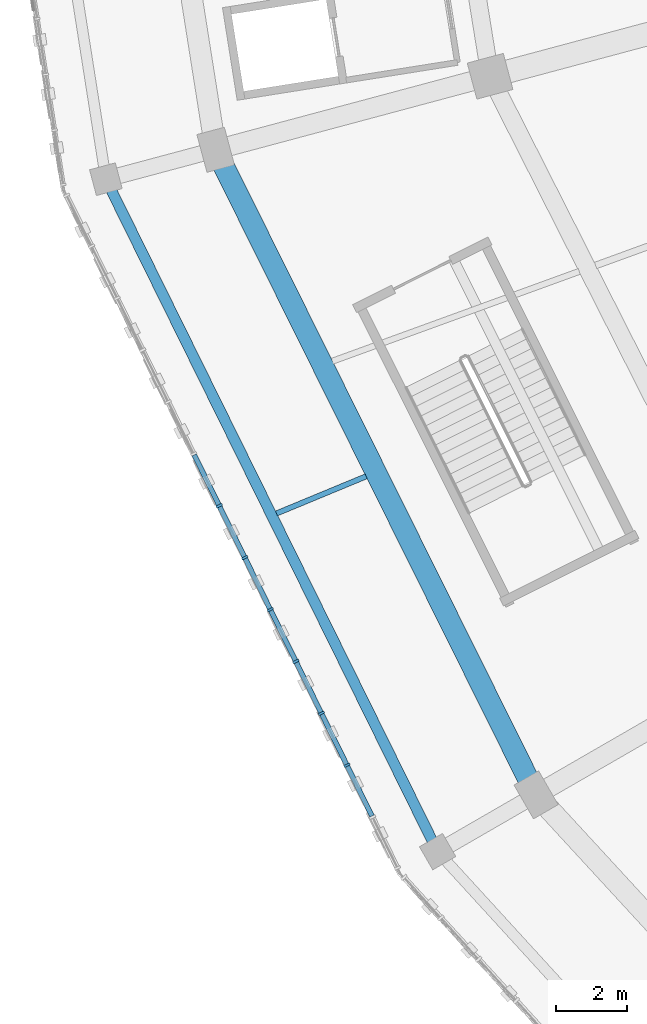
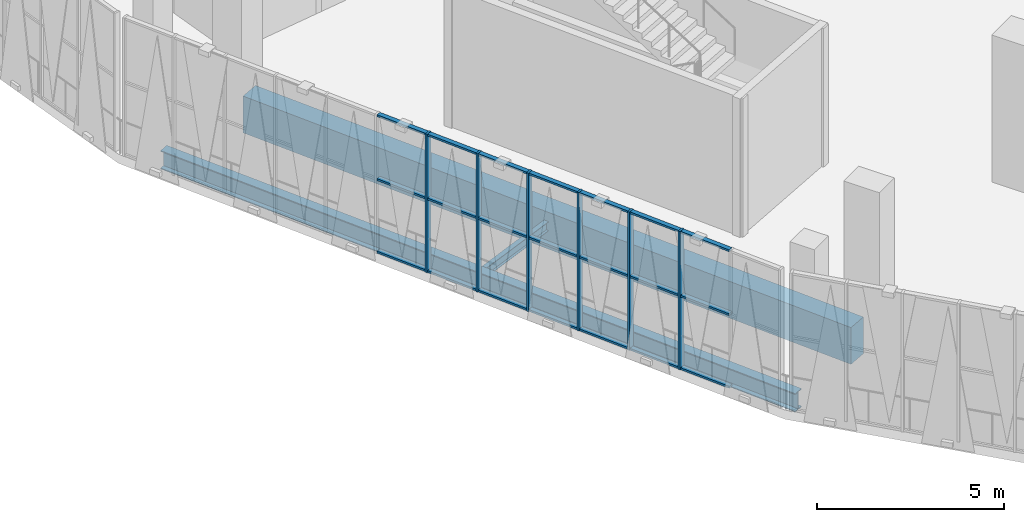
# One storey, part 8 of 183: 27 members, 3 beams, 1 element without a shape of its own.
"""IFC4 building model written with IfcOpenShell, lengths in metres."""

from ifc_helpers import new_model, si_unit, direction, frame, origin, origin_2d, place, context, subcontext, project, spatial, rectangle, i_section, extrude, material, material_profile, profile_set, type_object, element, aggregate, save


model = new_model("IFC4")

# Units and contexts
model_context = context("Model", 3, precision=1e-05, world=origin(), true_north=direction((0.0, 1.0)))
body_context = subcontext(model_context, "Body", "Model", "MODEL_VIEW")
ifc_project = project(units=[si_unit("LENGTHUNIT", "METRE"), si_unit("AREAUNIT", "SQUARE_METRE"), si_unit("VOLUMEUNIT", "CUBIC_METRE"), si_unit("PLANEANGLEUNIT", "RADIAN"), si_unit("MASSUNIT", "GRAM", prefix="KILO")], contexts=[model_context])

# Site, building, storey
site_placement = place(None, origin())
site = spatial("IfcSite", under=ifc_project, at=site_placement, CompositionType="ELEMENT")
building_placement = place(site_placement, origin())
building = spatial("IfcBuilding", under=site, at=building_placement, Name="Zevraka Park Crest Stadium", CompositionType="ELEMENT")
storey_placement = place(building_placement, frame((0.0, 0.0, 5.39990234375)))
storey = spatial("IfcBuildingStorey", under=building, at=storey_placement, Name="L01", CompositionType="ELEMENT", Elevation=5.39990234375)

# Curtain wall, members
ifc_material_1 = material(Name="Anodised architectural aluminium and laminated safety glass", Category="aluminium")
curtain_wall_type = type_object("IfcCurtainWallType", Name="CW02", PredefinedType="NOTDEFINED", material=ifc_material_1)
curtain_wall_placement = place(storey_placement, origin())
curtain_wall = element("IfcCurtainWall", 1, at=curtain_wall_placement, inside=storey, type_object=curtain_wall_type, Name="Unitised Ring Curtain Wall CW02 L01-13", PredefinedType="NOTDEFINED")
ifc_material_2 = material(Name="Anodised architectural aluminium", Category="aluminium")
ifc_material_profile_1 = material_profile(ifc_material_2, rectangle(XDim=0.179931640625, YDim=0.06494140625, at=origin_2d()), Name="ALU MULLION 180x65")
ifc_profile_set_1 = profile_set([ifc_material_profile_1], Name="Anodised architectural aluminium")
member_type_1 = type_object("IfcMemberType", Name="CM02", PredefinedType="MULLION", material=ifc_profile_set_1)
member_1_placement = place(storey_placement, frame((24.8779296875, 62.489013671875, 0.0), z_axis=(0.0, 0.0, 1.0), x_axis=(0.897252732312, 0.44151730924, 0.0)))
member_1 = element("IfcMember", 2, at=member_1_placement, type_object=member_type_1, Name="CW02 mullion 7", PredefinedType="MULLION", context=body_context, shape_type="SweptSolid", body=[
    extrude(rectangle(XDim=0.179931640625, YDim=0.06494140625, at=origin_2d()), origin(), (0.0, 0.0, 1.0), 4.52001953125),
])
member_2_placement = place(storey_placement, frame((25.596923828125, 61.02783203125, 0.0), z_axis=(0.0, 0.0, 1.0), x_axis=(0.897252732312, 0.44151730924, 0.0)))
member_2 = element("IfcMember", 3, at=member_2_placement, type_object=member_type_1, Name="CW02 mullion 8", PredefinedType="MULLION", context=body_context, shape_type="SweptSolid", body=[
    extrude(rectangle(XDim=0.179931640625, YDim=0.06494140625, at=origin_2d()), origin(), (0.0, 0.0, 1.0), 4.52001953125),
])
member_3_placement = place(storey_placement, frame((26.31591796875, 59.566650390625, 0.0), z_axis=(0.0, 0.0, 1.0), x_axis=(0.897252732312, 0.44151730924, 0.0)))
member_3 = element("IfcMember", 4, at=member_3_placement, type_object=member_type_1, Name="CW02 mullion 9", PredefinedType="MULLION", context=body_context, shape_type="SweptSolid", body=[
    extrude(rectangle(XDim=0.179931640625, YDim=0.06494140625, at=origin_2d()), origin(), (0.0, 0.0, 1.0), 4.52001953125),
])
member_4_placement = place(storey_placement, frame((27.034912109375, 58.105712890625, 0.0), z_axis=(0.0, 0.0, 1.0), x_axis=(0.897252732312, 0.44151730924, 0.0)))
member_4 = element("IfcMember", 5, at=member_4_placement, type_object=member_type_1, Name="CW02 mullion 10", PredefinedType="MULLION", context=body_context, shape_type="SweptSolid", body=[
    extrude(rectangle(XDim=0.179931640625, YDim=0.06494140625, at=origin_2d()), origin(), (0.0, 0.0, 1.0), 4.52001953125),
])
member_5_placement = place(storey_placement, frame((27.75390625, 56.64453125, 0.0), z_axis=(0.0, 0.0, 1.0), x_axis=(0.897252732312, 0.44151730924, 0.0)))
member_5 = element("IfcMember", 6, at=member_5_placement, type_object=member_type_1, Name="CW02 mullion 11", PredefinedType="MULLION", context=body_context, shape_type="SweptSolid", body=[
    extrude(rectangle(XDim=0.179931640625, YDim=0.06494140625, at=origin_2d()), origin(), (0.0, 0.0, 1.0), 4.52001953125),
])
member_6_placement = place(storey_placement, frame((28.472900390625, 55.183349609375, 0.0), z_axis=(0.0, 0.0, 1.0), x_axis=(0.897252732312, 0.44151730924, 0.0)))
member_6 = element("IfcMember", 7, at=member_6_placement, type_object=member_type_1, Name="CW02 mullion 12", PredefinedType="MULLION", context=body_context, shape_type="SweptSolid", body=[
    extrude(rectangle(XDim=0.179931640625, YDim=0.06494140625, at=origin_2d()), origin(), (0.0, 0.0, 1.0), 4.52001953125),
])
ifc_material_3 = material(Name="Anodised architectural aluminium", Category="aluminium")
ifc_material_profile_2 = material_profile(ifc_material_3, rectangle(XDim=0.139892578125, YDim=0.06494140625, at=origin_2d()), Name="ALU TRANSOM 140x65")
ifc_profile_set_2 = profile_set([ifc_material_profile_2], Name="Anodised architectural aluminium")
member_type_2 = type_object("IfcMemberType", Name="CT02", PredefinedType="USERDEFINED", material=ifc_profile_set_2)
member_7_placement = place(storey_placement, frame((24.17333984375, 63.921142578125, 0.03271484375), z_axis=(0.441583474331, -0.897220170971, 0.0), x_axis=(0.897220170971, 0.441583474331, 0.0)))
member_7 = element("IfcMember", 8, at=member_7_placement, type_object=member_type_2, Name="CW02 transom 6.1", ObjectType="TRANSOM", PredefinedType="USERDEFINED", context=body_context, shape_type="SweptSolid", body=[
    extrude(rectangle(XDim=0.139892578125, YDim=0.06494140625, at=origin_2d()), origin(), (0.0, 0.0, 1.0), 1.5634765625),
])
member_8_placement = place(storey_placement, frame((24.17333984375, 63.921142578125, 2.400146484375), z_axis=(0.441583474331, -0.897220170971, 0.0), x_axis=(0.897220170971, 0.441583474331, 0.0)))
member_8 = element("IfcMember", 9, at=member_8_placement, type_object=member_type_2, Name="CW02 transom 6.2", ObjectType="TRANSOM", PredefinedType="USERDEFINED", context=body_context, shape_type="SweptSolid", body=[
    extrude(rectangle(XDim=0.139892578125, YDim=0.06494140625, at=origin_2d()), origin(), (0.0, 0.0, 1.0), 1.5634765625),
])
member_9_placement = place(storey_placement, frame((24.17333984375, 63.921142578125, 4.487548828125), z_axis=(0.441583474331, -0.897220170971, 0.0), x_axis=(0.897220170971, 0.441583474331, 0.0)))
member_9 = element("IfcMember", 10, at=member_9_placement, type_object=member_type_2, Name="CW02 transom 6.3", ObjectType="TRANSOM", PredefinedType="USERDEFINED", context=body_context, shape_type="SweptSolid", body=[
    extrude(rectangle(XDim=0.139892578125, YDim=0.06494140625, at=origin_2d()), origin(), (0.0, 0.0, 1.0), 1.5634765625),
])
member_10_placement = place(storey_placement, frame((24.892333984375, 62.4599609375, 0.03271484375), z_axis=(0.441583474331, -0.897220170971, 0.0), x_axis=(0.897220170971, 0.441583474331, 0.0)))
member_10 = element("IfcMember", 11, at=member_10_placement, type_object=member_type_2, Name="CW02 transom 7.1", ObjectType="TRANSOM", PredefinedType="USERDEFINED", context=body_context, shape_type="SweptSolid", body=[
    extrude(rectangle(XDim=0.139892578125, YDim=0.06494140625, at=origin_2d()), origin(), (0.0, 0.0, 1.0), 1.5634765625),
])
member_11_placement = place(storey_placement, frame((24.892333984375, 62.4599609375, 2.400146484375), z_axis=(0.441583474331, -0.897220170971, 0.0), x_axis=(0.897220170971, 0.441583474331, 0.0)))
member_11 = element("IfcMember", 12, at=member_11_placement, type_object=member_type_2, Name="CW02 transom 7.2", ObjectType="TRANSOM", PredefinedType="USERDEFINED", context=body_context, shape_type="SweptSolid", body=[
    extrude(rectangle(XDim=0.139892578125, YDim=0.06494140625, at=origin_2d()), origin(), (0.0, 0.0, 1.0), 1.5634765625),
])
member_12_placement = place(storey_placement, frame((24.892333984375, 62.4599609375, 4.487548828125), z_axis=(0.441583474331, -0.897220170971, 0.0), x_axis=(0.897220170971, 0.441583474331, 0.0)))
member_12 = element("IfcMember", 13, at=member_12_placement, type_object=member_type_2, Name="CW02 transom 7.3", ObjectType="TRANSOM", PredefinedType="USERDEFINED", context=body_context, shape_type="SweptSolid", body=[
    extrude(rectangle(XDim=0.139892578125, YDim=0.06494140625, at=origin_2d()), origin(), (0.0, 0.0, 1.0), 1.5634765625),
])
member_13_placement = place(storey_placement, frame((25.611328125, 60.998779296875, 0.03271484375), z_axis=(0.441583474331, -0.897220170971, 0.0), x_axis=(0.897220170971, 0.441583474331, 0.0)))
member_13 = element("IfcMember", 14, at=member_13_placement, type_object=member_type_2, Name="CW02 transom 8.1", ObjectType="TRANSOM", PredefinedType="USERDEFINED", context=body_context, shape_type="SweptSolid", body=[
    extrude(rectangle(XDim=0.139892578125, YDim=0.06494140625, at=origin_2d()), origin(), (0.0, 0.0, 1.0), 1.5634765625),
])
member_14_placement = place(storey_placement, frame((25.611328125, 60.998779296875, 2.400146484375), z_axis=(0.441583474331, -0.897220170971, 0.0), x_axis=(0.897220170971, 0.441583474331, 0.0)))
member_14 = element("IfcMember", 15, at=member_14_placement, type_object=member_type_2, Name="CW02 transom 8.2", ObjectType="TRANSOM", PredefinedType="USERDEFINED", context=body_context, shape_type="SweptSolid", body=[
    extrude(rectangle(XDim=0.139892578125, YDim=0.06494140625, at=origin_2d()), origin(), (0.0, 0.0, 1.0), 1.5634765625),
])
member_15_placement = place(storey_placement, frame((25.611328125, 60.998779296875, 4.487548828125), z_axis=(0.441583474331, -0.897220170971, 0.0), x_axis=(0.897220170971, 0.441583474331, 0.0)))
member_15 = element("IfcMember", 16, at=member_15_placement, type_object=member_type_2, Name="CW02 transom 8.3", ObjectType="TRANSOM", PredefinedType="USERDEFINED", context=body_context, shape_type="SweptSolid", body=[
    extrude(rectangle(XDim=0.139892578125, YDim=0.06494140625, at=origin_2d()), origin(), (0.0, 0.0, 1.0), 1.5634765625),
])
member_16_placement = place(storey_placement, frame((26.330322265625, 59.53759765625, 0.03271484375), z_axis=(0.441583474331, -0.897220170971, 0.0), x_axis=(0.897220170971, 0.441583474331, 0.0)))
member_16 = element("IfcMember", 17, at=member_16_placement, type_object=member_type_2, Name="CW02 transom 9.1", ObjectType="TRANSOM", PredefinedType="USERDEFINED", context=body_context, shape_type="SweptSolid", body=[
    extrude(rectangle(XDim=0.139892578125, YDim=0.06494140625, at=origin_2d()), origin(), (0.0, 0.0, 1.0), 1.5634765625),
])
member_17_placement = place(storey_placement, frame((26.330322265625, 59.53759765625, 2.400146484375), z_axis=(0.441583474331, -0.897220170971, 0.0), x_axis=(0.897220170971, 0.441583474331, 0.0)))
member_17 = element("IfcMember", 18, at=member_17_placement, type_object=member_type_2, Name="CW02 transom 9.2", ObjectType="TRANSOM", PredefinedType="USERDEFINED", context=body_context, shape_type="SweptSolid", body=[
    extrude(rectangle(XDim=0.139892578125, YDim=0.06494140625, at=origin_2d()), origin(), (0.0, 0.0, 1.0), 1.5634765625),
])
member_18_placement = place(storey_placement, frame((26.330322265625, 59.53759765625, 4.487548828125), z_axis=(0.441583474331, -0.897220170971, 0.0), x_axis=(0.897220170971, 0.441583474331, 0.0)))
member_18 = element("IfcMember", 19, at=member_18_placement, type_object=member_type_2, Name="CW02 transom 9.3", ObjectType="TRANSOM", PredefinedType="USERDEFINED", context=body_context, shape_type="SweptSolid", body=[
    extrude(rectangle(XDim=0.139892578125, YDim=0.06494140625, at=origin_2d()), origin(), (0.0, 0.0, 1.0), 1.5634765625),
])
member_19_placement = place(storey_placement, frame((27.04931640625, 58.076416015625, 0.03271484375), z_axis=(0.441583474331, -0.897220170971, 0.0), x_axis=(0.897220170971, 0.441583474331, 0.0)))
member_19 = element("IfcMember", 20, at=member_19_placement, type_object=member_type_2, Name="CW02 transom 10.1", ObjectType="TRANSOM", PredefinedType="USERDEFINED", context=body_context, shape_type="SweptSolid", body=[
    extrude(rectangle(XDim=0.139892578125, YDim=0.06494140625, at=origin_2d()), origin(), (0.0, 0.0, 1.0), 1.5634765625),
])
member_20_placement = place(storey_placement, frame((27.04931640625, 58.076416015625, 2.400146484375), z_axis=(0.441583474331, -0.897220170971, 0.0), x_axis=(0.897220170971, 0.441583474331, 0.0)))
member_20 = element("IfcMember", 21, at=member_20_placement, type_object=member_type_2, Name="CW02 transom 10.2", ObjectType="TRANSOM", PredefinedType="USERDEFINED", context=body_context, shape_type="SweptSolid", body=[
    extrude(rectangle(XDim=0.139892578125, YDim=0.06494140625, at=origin_2d()), origin(), (0.0, 0.0, 1.0), 1.5634765625),
])
member_21_placement = place(storey_placement, frame((27.04931640625, 58.076416015625, 4.487548828125), z_axis=(0.441583474331, -0.897220170971, 0.0), x_axis=(0.897220170971, 0.441583474331, 0.0)))
member_21 = element("IfcMember", 22, at=member_21_placement, type_object=member_type_2, Name="CW02 transom 10.3", ObjectType="TRANSOM", PredefinedType="USERDEFINED", context=body_context, shape_type="SweptSolid", body=[
    extrude(rectangle(XDim=0.139892578125, YDim=0.06494140625, at=origin_2d()), origin(), (0.0, 0.0, 1.0), 1.5634765625),
])
member_22_placement = place(storey_placement, frame((27.768310546875, 56.615234375, 0.03271484375), z_axis=(0.441583474331, -0.897220170971, 0.0), x_axis=(0.897220170971, 0.441583474331, 0.0)))
member_22 = element("IfcMember", 23, at=member_22_placement, type_object=member_type_2, Name="CW02 transom 11.1", ObjectType="TRANSOM", PredefinedType="USERDEFINED", context=body_context, shape_type="SweptSolid", body=[
    extrude(rectangle(XDim=0.139892578125, YDim=0.06494140625, at=origin_2d()), origin(), (0.0, 0.0, 1.0), 1.5634765625),
])
member_23_placement = place(storey_placement, frame((27.768310546875, 56.615234375, 2.400146484375), z_axis=(0.441583474331, -0.897220170971, 0.0), x_axis=(0.897220170971, 0.441583474331, 0.0)))
member_23 = element("IfcMember", 24, at=member_23_placement, type_object=member_type_2, Name="CW02 transom 11.2", ObjectType="TRANSOM", PredefinedType="USERDEFINED", context=body_context, shape_type="SweptSolid", body=[
    extrude(rectangle(XDim=0.139892578125, YDim=0.06494140625, at=origin_2d()), origin(), (0.0, 0.0, 1.0), 1.5634765625),
])
member_24_placement = place(storey_placement, frame((27.768310546875, 56.615234375, 4.487548828125), z_axis=(0.441583474331, -0.897220170971, 0.0), x_axis=(0.897220170971, 0.441583474331, 0.0)))
member_24 = element("IfcMember", 25, at=member_24_placement, type_object=member_type_2, Name="CW02 transom 11.3", ObjectType="TRANSOM", PredefinedType="USERDEFINED", context=body_context, shape_type="SweptSolid", body=[
    extrude(rectangle(XDim=0.139892578125, YDim=0.06494140625, at=origin_2d()), origin(), (0.0, 0.0, 1.0), 1.5634765625),
])
member_25_placement = place(storey_placement, frame((28.4873046875, 55.154052734375, 0.03271484375), z_axis=(0.441583474331, -0.897220170971, 0.0), x_axis=(0.897220170971, 0.441583474331, 0.0)))
member_25 = element("IfcMember", 26, at=member_25_placement, type_object=member_type_2, Name="CW02 transom 12.1", ObjectType="TRANSOM", PredefinedType="USERDEFINED", context=body_context, shape_type="SweptSolid", body=[
    extrude(rectangle(XDim=0.139892578125, YDim=0.06494140625, at=origin_2d()), origin(), (0.0, 0.0, 1.0), 1.5634765625),
])
member_26_placement = place(storey_placement, frame((28.4873046875, 55.154052734375, 2.400146484375), z_axis=(0.441583474331, -0.897220170971, 0.0), x_axis=(0.897220170971, 0.441583474331, 0.0)))
member_26 = element("IfcMember", 27, at=member_26_placement, type_object=member_type_2, Name="CW02 transom 12.2", ObjectType="TRANSOM", PredefinedType="USERDEFINED", context=body_context, shape_type="SweptSolid", body=[
    extrude(rectangle(XDim=0.139892578125, YDim=0.06494140625, at=origin_2d()), origin(), (0.0, 0.0, 1.0), 1.5634765625),
])
member_27_placement = place(storey_placement, frame((28.4873046875, 55.154052734375, 4.487548828125), z_axis=(0.441583474331, -0.897220170971, 0.0), x_axis=(0.897220170971, 0.441583474331, 0.0)))
member_27 = element("IfcMember", 28, at=member_27_placement, type_object=member_type_2, Name="CW02 transom 12.3", ObjectType="TRANSOM", PredefinedType="USERDEFINED", context=body_context, shape_type="SweptSolid", body=[
    extrude(rectangle(XDim=0.139892578125, YDim=0.06494140625, at=origin_2d()), origin(), (0.0, 0.0, 1.0), 1.5634765625),
])
aggregate(curtain_wall, [member_1, member_2, member_3, member_4, member_5, member_6, member_7, member_8, member_9, member_10, member_11, member_12, member_13, member_14, member_15, member_16, member_17, member_18, member_19, member_20, member_21, member_22, member_23, member_24, member_25, member_26, member_27])

# Beams
ifc_material_4 = material(Name="Concrete C40/50", Category="concrete")
ifc_material_profile_3 = material_profile(ifc_material_4, rectangle(XDim=0.60009765625, YDim=1.199951171875, at=origin_2d()), Name="RC 1200x600")
ifc_profile_set_3 = profile_set([ifc_material_profile_3], Name="Concrete C40/50")
beam_type_1 = type_object("IfcBeamType", Name="RB01", PredefinedType="BEAM", material=ifc_profile_set_3)
beam_1_placement = place(storey_placement, frame((24.946044921875, 72.1708984375, -0.60986328125), z_axis=(0.444850507814, -0.895604837916, 0.0), x_axis=(0.895604837916, 0.444850507814, 0.0)))
element("IfcBeam", 29, at=beam_1_placement, inside=storey, type_object=beam_type_1, Name="Ring Beam RB01 L01-D-13", PredefinedType="BEAM", context=body_context, shape_type="SweptSolid", body=[
    extrude(rectangle(XDim=0.60009765625, YDim=1.199951171875, at=origin_2d()), origin(), (0.0, 0.0, 1.0), 19.5185546875),
])
ifc_material_5 = material(Name="Steel S355", Category="steel")
ifc_material_profile_4 = material_profile(ifc_material_5, i_section(OverallWidth=0.300048828125, OverallDepth=0.60009765625, WebThickness=0.015380859375, FlangeThickness=0.030029296875, at=origin_2d()), Name="HEB 600")
ifc_profile_set_4 = profile_set([ifc_material_profile_4], Name="Steel S355")
beam_type_2 = type_object("IfcBeamType", Name="RB03", PredefinedType="BEAM", material=ifc_profile_set_4)
beam_2_placement = place(storey_placement, frame((21.841064453125, 71.368896484375, -0.60498046875), z_axis=(0.442446810597, -0.896794747862, 0.0), x_axis=(0.896794747862, 0.442446810597, 0.0)))
element("IfcBeam", 30, at=beam_2_placement, inside=storey, type_object=beam_type_2, Name="Ring Beam RB03 L01-E-13", PredefinedType="BEAM", context=body_context, shape_type="SweptSolid", body=[
    extrude(i_section(OverallWidth=0.300048828125, OverallDepth=0.60009765625, WebThickness=0.015380859375, FlangeThickness=0.030029296875, at=origin_2d()), origin(), (0.0, 0.0, 1.0), 20.41162109375),
])
ifc_material_6 = material(Name="Steel S355", Category="steel")
ifc_material_profile_5 = material_profile(ifc_material_6, i_section(OverallWidth=0.14990234375, OverallDepth=0.300048828125, WebThickness=0.007080078125, FlangeThickness=0.0107421875, at=origin_2d()), Name="IPE 300")
ifc_profile_set_5 = profile_set([ifc_material_profile_5], Name="Steel S355")
beam_type_3 = type_object("IfcBeamType", Name="SJ01", PredefinedType="JOIST", material=ifc_profile_set_5)
beam_3_placement = place(storey_placement, frame((29.014892578125, 63.318115234375, -0.4580078125), z_axis=(-0.923841523408, -0.382775181571, 0.0), x_axis=(0.382775181571, -0.923841523408, 0.0)))
element("IfcBeam", 31, at=beam_3_placement, inside=storey, type_object=beam_type_3, Name="Floor Joist SJ01 L01-DE-13-1", PredefinedType="JOIST", context=body_context, shape_type="SweptSolid", body=[
    extrude(i_section(OverallWidth=0.14990234375, OverallDepth=0.300048828125, WebThickness=0.007080078125, FlangeThickness=0.0107421875, at=origin_2d()), origin(), (0.0, 0.0, 1.0), 2.733154296875),
])

save(model, "model.ifc")
